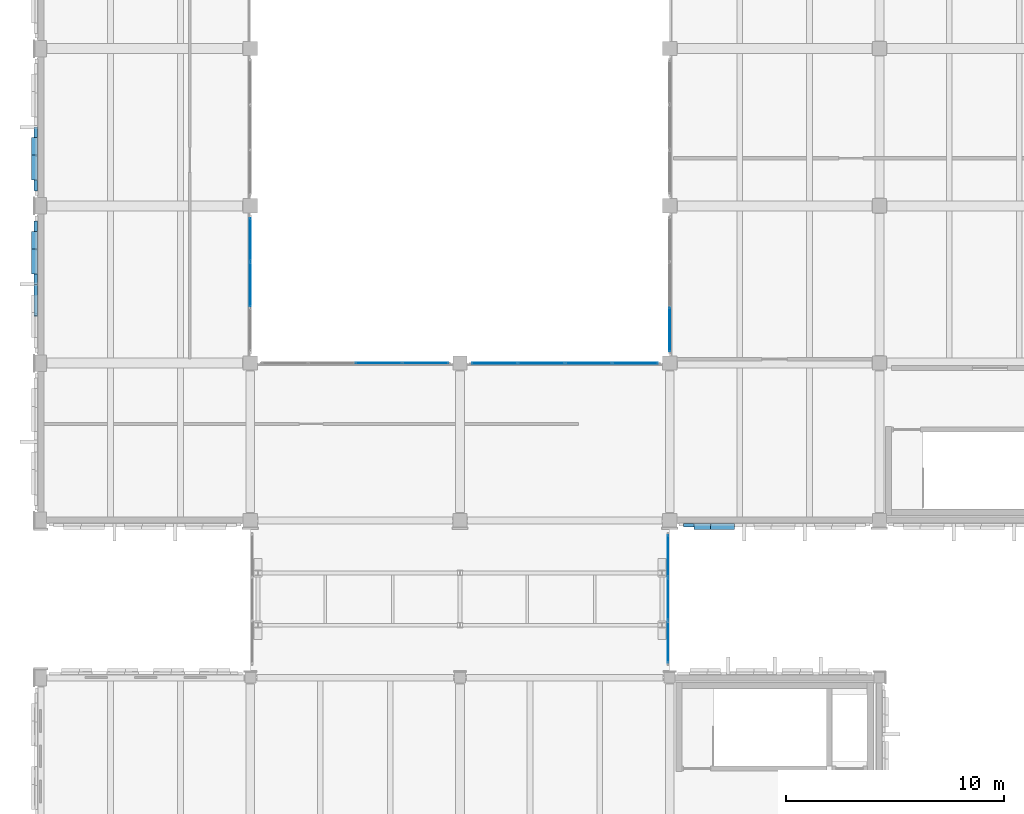
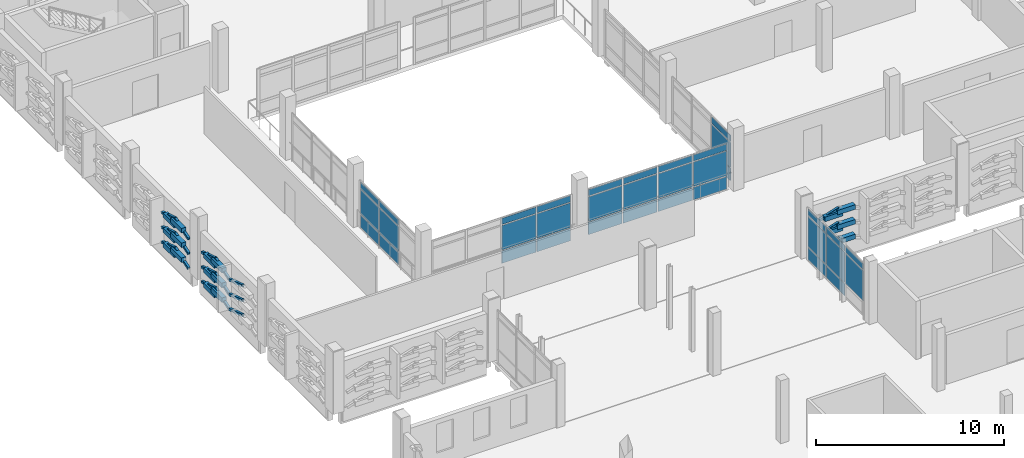
# One storey, part 39 of 72: 71 plates, 5 elements without a shape of their own.
"""IFC4 building model written with IfcOpenShell, lengths in metres."""

from ifc_helpers import new_model, si_unit, direction, frame, origin, origin_2d, place, context, subcontext, project, spatial, rectangle, hollow_rectangle, extrude, material, layer, layer_set, material_profile, profile_set, type_object, element, aggregate, save


model = new_model("IFC4")

# Units and contexts
model_context = context("Model", 3, precision=1e-05, world=origin(), true_north=direction((0.0, 1.0)))
body_context = subcontext(model_context, "Body", "Model", "MODEL_VIEW")
ifc_project = project(units=[si_unit("LENGTHUNIT", "METRE"), si_unit("AREAUNIT", "SQUARE_METRE"), si_unit("VOLUMEUNIT", "CUBIC_METRE"), si_unit("PLANEANGLEUNIT", "RADIAN"), si_unit("MASSUNIT", "GRAM", prefix="KILO")], contexts=[model_context])

# Site, building, storey
site_placement = place(None, origin())
site = spatial("IfcSite", under=ifc_project, at=site_placement, CompositionType="ELEMENT")
building_placement = place(site_placement, origin())
building = spatial("IfcBuilding", under=site, at=building_placement, Name="Asteropetra Specialist Clinic", CompositionType="ELEMENT")
storey_placement = place(building_placement, frame((0.0, 0.0, 12.580078125)))
storey = spatial("IfcBuildingStorey", under=building, at=storey_placement, Name="L03", CompositionType="ELEMENT", Elevation=12.580078125)

# Plates
ifc_material_1 = material(Name="Chevron emerald aluminium 6063-T6", Category="aluminium")
ifc_material_profile = material_profile(ifc_material_1, hollow_rectangle(XDim=0.159912109375, YDim=0.159912109375, WallThickness=0.008056640625, InnerFilletRadius=0.008056640625, OuterFilletRadius=0.01611328125, at=origin_2d()), Name="SHS 160x160x8.0")
ifc_profile_set = profile_set([ifc_material_profile], Name="Chevron emerald aluminium 6063-T6")
plate_type_1 = type_object("IfcPlateType", Name="CHV-RIB-160", PredefinedType="SHEET", material=ifc_profile_set)
for number, where, z_axis, x_axis, name in (
    (1, (29.465087890625, 69.3779296875, 0.059814453125), (0.952430080856, 0.0, 0.304757183805), (0.0, 1.0, 0.0), "Chevron Facade Screen Fin CVR-1269"),
    (2, (29.465087890625, 69.3779296875, 1.02001953125), (0.952479516829, 0.0, 0.304602642835), (0.0, 1.0, 0.0), "Chevron Facade Screen Fin CVR-1271"),
    (3, (29.465087890625, 69.3779296875, 1.97998046875), (0.952479516829, 0.0, 0.304602642835), (0.0, 1.0, 0.0), "Chevron Facade Screen Fin CVR-1273"),
):
    element("IfcPlate", number, at=place(storey_placement, frame(where, z_axis=z_axis, x_axis=x_axis)), inside=storey, type_object=plate_type_1, Name=name, PredefinedType="SHEET", context=body_context, shape_type="SweptSolid", body=[
        extrude(hollow_rectangle(XDim=0.159912109375, YDim=0.159912109375, WallThickness=0.008056640625, InnerFilletRadius=0.008056640625, OuterFilletRadius=0.01611328125, at=origin_2d()), origin(), (0.0, 0.0, 1.0), 1.43310546875),
    ])
plate_1_placement = place(storey_placement, frame((-0.221923828125, 83.284912109375, 0.059814453125), z_axis=(0.0, -0.952491984317, 0.304563654777), x_axis=(1.0, 0.0, 0.0)))
element("IfcPlate", 4, at=plate_1_placement, inside=storey, type_object=plate_type_1, Name="Chevron Facade Screen Fin CVR-1365", PredefinedType="SHEET", context=body_context, shape_type="SweptSolid", body=[
    extrude(hollow_rectangle(XDim=0.159912109375, YDim=0.159912109375, WallThickness=0.008056640625, InnerFilletRadius=0.008056640625, OuterFilletRadius=0.01611328125, at=origin_2d()), origin(), (0.0, 0.0, 1.0), 1.50390625),
])
plate_2_placement = place(storey_placement, frame((-0.221923828125, 81.8525390625, 0.517822265625), z_axis=(0.0, -0.952507040007, -0.304516565619), x_axis=(1.0, 0.0, 0.0)))
element("IfcPlate", 5, at=plate_2_placement, inside=storey, type_object=plate_type_1, Name="Chevron Facade Screen Fin CVR-1366", PredefinedType="SHEET", context=body_context, shape_type="SweptSolid", body=[
    extrude(hollow_rectangle(XDim=0.159912109375, YDim=0.159912109375, WallThickness=0.008056640625, InnerFilletRadius=0.008056640625, OuterFilletRadius=0.01611328125, at=origin_2d()), origin(), (0.0, 0.0, 1.0), 1.504150390625),
])
plate_3_placement = place(storey_placement, frame((-0.221923828125, 83.284912109375, 1.02001953125), z_axis=(0.0, -0.952491984317, 0.304563654777), x_axis=(1.0, 0.0, 0.0)))
element("IfcPlate", 6, at=plate_3_placement, inside=storey, type_object=plate_type_1, Name="Chevron Facade Screen Fin CVR-1367", PredefinedType="SHEET", context=body_context, shape_type="SweptSolid", body=[
    extrude(hollow_rectangle(XDim=0.159912109375, YDim=0.159912109375, WallThickness=0.008056640625, InnerFilletRadius=0.008056640625, OuterFilletRadius=0.01611328125, at=origin_2d()), origin(), (0.0, 0.0, 1.0), 1.50390625),
])
plate_4_placement = place(storey_placement, frame((-0.221923828125, 81.8525390625, 1.47802734375), z_axis=(0.0, -0.952507040007, -0.304516565619), x_axis=(1.0, 0.0, 0.0)))
element("IfcPlate", 7, at=plate_4_placement, inside=storey, type_object=plate_type_1, Name="Chevron Facade Screen Fin CVR-1368", PredefinedType="SHEET", context=body_context, shape_type="SweptSolid", body=[
    extrude(hollow_rectangle(XDim=0.159912109375, YDim=0.159912109375, WallThickness=0.008056640625, InnerFilletRadius=0.008056640625, OuterFilletRadius=0.01611328125, at=origin_2d()), origin(), (0.0, 0.0, 1.0), 1.504150390625),
])
plate_5_placement = place(storey_placement, frame((-0.221923828125, 83.284912109375, 1.97998046875), z_axis=(0.0, -0.952491984317, 0.304563654777), x_axis=(1.0, 0.0, 0.0)))
element("IfcPlate", 8, at=plate_5_placement, inside=storey, type_object=plate_type_1, Name="Chevron Facade Screen Fin CVR-1369", PredefinedType="SHEET", context=body_context, shape_type="SweptSolid", body=[
    extrude(hollow_rectangle(XDim=0.159912109375, YDim=0.159912109375, WallThickness=0.008056640625, InnerFilletRadius=0.008056640625, OuterFilletRadius=0.01611328125, at=origin_2d()), origin(), (0.0, 0.0, 1.0), 1.50390625),
])
plate_6_placement = place(storey_placement, frame((-0.221923828125, 81.8525390625, 2.43798828125), z_axis=(0.0, -0.952507040007, -0.304516565619), x_axis=(1.0, 0.0, 0.0)))
element("IfcPlate", 9, at=plate_6_placement, inside=storey, type_object=plate_type_1, Name="Chevron Facade Screen Fin CVR-1370", PredefinedType="SHEET", context=body_context, shape_type="SweptSolid", body=[
    extrude(hollow_rectangle(XDim=0.159912109375, YDim=0.159912109375, WallThickness=0.008056640625, InnerFilletRadius=0.008056640625, OuterFilletRadius=0.01611328125, at=origin_2d()), origin(), (0.0, 0.0, 1.0), 1.504150390625),
])
for number, where, z_axis, x_axis, name in (
    (10, (-0.221923828125, 80.3798828125, 0.059814453125), (0.0, -0.952491984317, 0.304563654777), (1.0, 0.0, 0.0), "Chevron Facade Screen Fin CVR-1371"),
    (11, (-0.221923828125, 80.3798828125, 1.02001953125), (0.0, -0.952491984317, 0.304563654777), (1.0, 0.0, 0.0), "Chevron Facade Screen Fin CVR-1373"),
    (12, (-0.221923828125, 80.3798828125, 1.97998046875), (0.0, -0.952491984317, 0.304563654777), (1.0, 0.0, 0.0), "Chevron Facade Screen Fin CVR-1375"),
):
    element("IfcPlate", number, at=place(storey_placement, frame(where, z_axis=z_axis, x_axis=x_axis)), inside=storey, type_object=plate_type_1, Name=name, PredefinedType="SHEET", context=body_context, shape_type="SweptSolid", body=[
        extrude(hollow_rectangle(XDim=0.159912109375, YDim=0.159912109375, WallThickness=0.008056640625, InnerFilletRadius=0.008056640625, OuterFilletRadius=0.01611328125, at=origin_2d()), origin(), (0.0, 0.0, 1.0), 1.50390625),
    ])
plate_7_placement = place(storey_placement, frame((-0.221923828125, 87.580078125, 0.059814453125), z_axis=(0.0, -0.952507040007, 0.304516565619), x_axis=(1.0, 0.0, 0.0)))
element("IfcPlate", 13, at=plate_7_placement, inside=storey, type_object=plate_type_1, Name="Chevron Facade Screen Fin CVR-1395", PredefinedType="SHEET", context=body_context, shape_type="SweptSolid", body=[
    extrude(hollow_rectangle(XDim=0.159912109375, YDim=0.159912109375, WallThickness=0.008056640625, InnerFilletRadius=0.008056640625, OuterFilletRadius=0.01611328125, at=origin_2d()), origin(), (0.0, 0.0, 1.0), 1.504150390625),
])
plate_8_placement = place(storey_placement, frame((-0.221923828125, 86.1474609375, 0.517822265625), z_axis=(0.0, -0.952491984317, -0.304563654777), x_axis=(1.0, 0.0, 0.0)))
element("IfcPlate", 14, at=plate_8_placement, inside=storey, type_object=plate_type_1, Name="Chevron Facade Screen Fin CVR-1396", PredefinedType="SHEET", context=body_context, shape_type="SweptSolid", body=[
    extrude(hollow_rectangle(XDim=0.159912109375, YDim=0.159912109375, WallThickness=0.008056640625, InnerFilletRadius=0.008056640625, OuterFilletRadius=0.01611328125, at=origin_2d()), origin(), (0.0, 0.0, 1.0), 1.50390625),
])
plate_9_placement = place(storey_placement, frame((-0.221923828125, 87.580078125, 1.02001953125), z_axis=(0.0, -0.952507040007, 0.304516565619), x_axis=(1.0, 0.0, 0.0)))
element("IfcPlate", 15, at=plate_9_placement, inside=storey, type_object=plate_type_1, Name="Chevron Facade Screen Fin CVR-1397", PredefinedType="SHEET", context=body_context, shape_type="SweptSolid", body=[
    extrude(hollow_rectangle(XDim=0.159912109375, YDim=0.159912109375, WallThickness=0.008056640625, InnerFilletRadius=0.008056640625, OuterFilletRadius=0.01611328125, at=origin_2d()), origin(), (0.0, 0.0, 1.0), 1.504150390625),
])
plate_10_placement = place(storey_placement, frame((-0.221923828125, 86.1474609375, 1.47802734375), z_axis=(0.0, -0.952491984317, -0.304563654777), x_axis=(1.0, 0.0, 0.0)))
element("IfcPlate", 16, at=plate_10_placement, inside=storey, type_object=plate_type_1, Name="Chevron Facade Screen Fin CVR-1398", PredefinedType="SHEET", context=body_context, shape_type="SweptSolid", body=[
    extrude(hollow_rectangle(XDim=0.159912109375, YDim=0.159912109375, WallThickness=0.008056640625, InnerFilletRadius=0.008056640625, OuterFilletRadius=0.01611328125, at=origin_2d()), origin(), (0.0, 0.0, 1.0), 1.50390625),
])
plate_11_placement = place(storey_placement, frame((-0.221923828125, 87.580078125, 1.97998046875), z_axis=(0.0, -0.952507040007, 0.304516565619), x_axis=(1.0, 0.0, 0.0)))
element("IfcPlate", 17, at=plate_11_placement, inside=storey, type_object=plate_type_1, Name="Chevron Facade Screen Fin CVR-1399", PredefinedType="SHEET", context=body_context, shape_type="SweptSolid", body=[
    extrude(hollow_rectangle(XDim=0.159912109375, YDim=0.159912109375, WallThickness=0.008056640625, InnerFilletRadius=0.008056640625, OuterFilletRadius=0.01611328125, at=origin_2d()), origin(), (0.0, 0.0, 1.0), 1.504150390625),
])
plate_12_placement = place(storey_placement, frame((-0.221923828125, 86.1474609375, 2.43798828125), z_axis=(0.0, -0.952491984317, -0.304563654777), x_axis=(1.0, 0.0, 0.0)))
element("IfcPlate", 18, at=plate_12_placement, inside=storey, type_object=plate_type_1, Name="Chevron Facade Screen Fin CVR-1400", PredefinedType="SHEET", context=body_context, shape_type="SweptSolid", body=[
    extrude(hollow_rectangle(XDim=0.159912109375, YDim=0.159912109375, WallThickness=0.008056640625, InnerFilletRadius=0.008056640625, OuterFilletRadius=0.01611328125, at=origin_2d()), origin(), (0.0, 0.0, 1.0), 1.50390625),
])

# Curtain wall, plates
ifc_material_2 = material(Name="Aluminium and low-E glass", Category="aluminium")
ifc_layer_1 = layer(ifc_material_2, 0.135009765625)
ifc_layer_set_1 = layer_set([ifc_layer_1], Name="Aluminium and low-E glass")
curtain_wall_type_1 = type_object("IfcCurtainWallType", Name="CW-SYS-09", PredefinedType="USERDEFINED", material=ifc_layer_set_1)
curtain_wall_1_placement = place(storey_placement, origin())
curtain_wall_1 = element("IfcCurtainWall", 19, at=curtain_wall_1_placement, inside=storey, type_object=curtain_wall_type_1, Name="Curtain Wall CW-108", ObjectType="STICK GLAZED COLONNADE", PredefinedType="USERDEFINED")
ifc_material_3 = material(Name="Low-E double glazing", Category="glass")
ifc_layer_2 = layer(ifc_material_3, 0.028076171875)
ifc_layer_set_2 = layer_set([ifc_layer_2], Name="Low-E double glazing")
plate_type_2 = type_object("IfcPlateType", Name="CWP-GLZ-28", PredefinedType="CURTAIN_PANEL", material=ifc_layer_set_2)
plate_13_placement = place(storey_placement, frame((28.719970703125, 67.974609375, 0.074951171875), z_axis=(0.0, 0.0, 1.0), x_axis=(0.0, -1.0, 0.0)))
plate_13 = element("IfcPlate", 20, at=plate_13_placement, type_object=plate_type_2, Name="CW-108 panel 1.1", PredefinedType="CURTAIN_PANEL", context=body_context, shape_type="SweptSolid", body=[
    extrude(rectangle(XDim=1.880859375, YDim=0.028076171875, at=origin_2d()), origin(), (0.0, 0.0, 1.0), 0.78759765625),
])
plate_14_placement = place(storey_placement, frame((28.719970703125, 67.974609375, 0.9375), z_axis=(0.0, 0.0, 1.0), x_axis=(0.0, -1.0, 0.0)))
plate_14 = element("IfcPlate", 21, at=plate_14_placement, type_object=plate_type_2, Name="CW-108 panel 1.2", PredefinedType="CURTAIN_PANEL", context=body_context, shape_type="SweptSolid", body=[
    extrude(rectangle(XDim=1.880859375, YDim=0.028076171875, at=origin_2d()), origin(), (0.0, 0.0, 1.0), 1.955078125),
])
plate_15_placement = place(storey_placement, frame((28.719970703125, 67.974609375, 2.96728515625), z_axis=(0.0, 0.0, 1.0), x_axis=(0.0, -1.0, 0.0)))
plate_15 = element("IfcPlate", 22, at=plate_15_placement, type_object=plate_type_2, Name="CW-108 panel 1.3", PredefinedType="CURTAIN_PANEL", context=body_context, shape_type="SweptSolid", body=[
    extrude(rectangle(XDim=1.880859375, YDim=0.028076171875, at=origin_2d()), origin(), (0.0, 0.0, 1.0), 0.387451171875),
])
plate_16_placement = place(storey_placement, frame((28.719970703125, 66.0, 0.074951171875), z_axis=(0.0, 0.0, 1.0), x_axis=(0.0, -1.0, 0.0)))
plate_16 = element("IfcPlate", 23, at=plate_16_placement, type_object=plate_type_2, Name="CW-108 panel 2.1", PredefinedType="CURTAIN_PANEL", context=body_context, shape_type="SweptSolid", body=[
    extrude(rectangle(XDim=1.918212890625, YDim=0.028076171875, at=origin_2d()), origin(), (0.0, 0.0, 1.0), 0.78759765625),
])
plate_17_placement = place(storey_placement, frame((28.719970703125, 66.0, 0.9375), z_axis=(0.0, 0.0, 1.0), x_axis=(0.0, -1.0, 0.0)))
plate_17 = element("IfcPlate", 24, at=plate_17_placement, type_object=plate_type_2, Name="CW-108 panel 2.2", PredefinedType="CURTAIN_PANEL", context=body_context, shape_type="SweptSolid", body=[
    extrude(rectangle(XDim=1.918212890625, YDim=0.028076171875, at=origin_2d()), origin(), (0.0, 0.0, 1.0), 1.955078125),
])
plate_18_placement = place(storey_placement, frame((28.719970703125, 66.0, 2.96728515625), z_axis=(0.0, 0.0, 1.0), x_axis=(0.0, -1.0, 0.0)))
plate_18 = element("IfcPlate", 25, at=plate_18_placement, type_object=plate_type_2, Name="CW-108 panel 2.3", PredefinedType="CURTAIN_PANEL", context=body_context, shape_type="SweptSolid", body=[
    extrude(rectangle(XDim=1.918212890625, YDim=0.028076171875, at=origin_2d()), origin(), (0.0, 0.0, 1.0), 0.387451171875),
])
plate_19_placement = place(storey_placement, frame((28.719970703125, 64.025390625, 0.9375), z_axis=(0.0, 0.0, 1.0), x_axis=(0.0, -1.0, 0.0)))
plate_19 = element("IfcPlate", 26, at=plate_19_placement, type_object=plate_type_2, Name="CW-108 panel 3.2", PredefinedType="CURTAIN_PANEL", context=body_context, shape_type="SweptSolid", body=[
    extrude(rectangle(XDim=1.880859375, YDim=0.028076171875, at=origin_2d()), origin(), (0.0, 0.0, 1.0), 1.955078125),
])
plate_20_placement = place(storey_placement, frame((28.719970703125, 64.025390625, 2.96728515625), z_axis=(0.0, 0.0, 1.0), x_axis=(0.0, -1.0, 0.0)))
plate_20 = element("IfcPlate", 27, at=plate_20_placement, type_object=plate_type_2, Name="CW-108 panel 3.3", PredefinedType="CURTAIN_PANEL", context=body_context, shape_type="SweptSolid", body=[
    extrude(rectangle(XDim=1.880859375, YDim=0.028076171875, at=origin_2d()), origin(), (0.0, 0.0, 1.0), 0.387451171875),
])
aggregate(curtain_wall_1, [plate_13, plate_14, plate_15, plate_16, plate_17, plate_18, plate_19, plate_20])

ifc_material_4 = material(Name="Aluminium and low-E glass", Category="aluminium")
ifc_layer_3 = layer(ifc_material_4, 0.14990234375)
ifc_layer_set_3 = layer_set([ifc_layer_3], Name="Aluminium and low-E glass")
curtain_wall_type_2 = type_object("IfcCurtainWallType", Name="CW-SYS-02", PredefinedType="USERDEFINED", material=ifc_layer_set_3)
curtain_wall_2_placement = place(storey_placement, origin())
curtain_wall_2 = element("IfcCurtainWall", 28, at=curtain_wall_2_placement, inside=storey, type_object=curtain_wall_type_2, Name="Curtain Wall CW-041", ObjectType="UNITISED CURTAIN WALL", PredefinedType="USERDEFINED")
ifc_material_5 = material(Name="Low-E acoustic double glazing", Category="glass")
ifc_layer_4 = layer(ifc_material_5, 0.031982421875)
ifc_layer_set_4 = layer_set([ifc_layer_4], Name="Low-E acoustic double glazing")
plate_type_3 = type_object("IfcPlateType", Name="CWP-GLZ-32", PredefinedType="CURTAIN_PANEL", material=ifc_layer_set_4)
plate_21_placement = place(storey_placement, frame((15.478759765625, 76.800048828125, 0.059814453125), z_axis=(0.0, 0.0, 1.0), x_axis=(1.0, 0.0, 0.0)))
plate_21 = element("IfcPlate", 29, at=plate_21_placement, type_object=plate_type_3, Name="CW-041 panel 3.1", PredefinedType="CURTAIN_PANEL", context=body_context, shape_type="SweptSolid", body=[
    extrude(rectangle(XDim=2.097412109375, YDim=0.031982421875, at=origin_2d()), origin(), (0.0, 0.0, 1.0), 0.81005859375),
])
plate_22_placement = place(storey_placement, frame((15.478759765625, 76.800048828125, 0.9296875), z_axis=(0.0, 0.0, 1.0), x_axis=(1.0, 0.0, 0.0)))
plate_22 = element("IfcPlate", 30, at=plate_22_placement, type_object=plate_type_3, Name="CW-041 panel 3.2", PredefinedType="CURTAIN_PANEL", context=body_context, shape_type="SweptSolid", body=[
    extrude(rectangle(XDim=2.097412109375, YDim=0.031982421875, at=origin_2d()), origin(), (0.0, 0.0, 1.0), 1.590087890625),
])
plate_23_placement = place(storey_placement, frame((15.478759765625, 76.800048828125, 2.580078125), z_axis=(0.0, 0.0, 1.0), x_axis=(1.0, 0.0, 0.0)))
plate_23 = element("IfcPlate", 31, at=plate_23_placement, type_object=plate_type_3, Name="CW-041 panel 3.3", PredefinedType="CURTAIN_PANEL", context=body_context, shape_type="SweptSolid", body=[
    extrude(rectangle(XDim=2.097412109375, YDim=0.031982421875, at=origin_2d()), origin(), (0.0, 0.0, 1.0), 0.409912109375),
])
plate_24_placement = place(storey_placement, frame((17.621337890625, 76.800048828125, 0.059814453125), z_axis=(0.0, 0.0, 1.0), x_axis=(1.0, 0.0, 0.0)))
plate_24 = element("IfcPlate", 32, at=plate_24_placement, type_object=plate_type_3, Name="CW-041 panel 4.1", PredefinedType="CURTAIN_PANEL", context=body_context, shape_type="SweptSolid", body=[
    extrude(rectangle(XDim=2.0673828125, YDim=0.031982421875, at=origin_2d()), origin(), (0.0, 0.0, 1.0), 0.81005859375),
])
plate_25_placement = place(storey_placement, frame((17.621337890625, 76.800048828125, 0.9296875), z_axis=(0.0, 0.0, 1.0), x_axis=(1.0, 0.0, 0.0)))
plate_25 = element("IfcPlate", 33, at=plate_25_placement, type_object=plate_type_3, Name="CW-041 panel 4.2", PredefinedType="CURTAIN_PANEL", context=body_context, shape_type="SweptSolid", body=[
    extrude(rectangle(XDim=2.0673828125, YDim=0.031982421875, at=origin_2d()), origin(), (0.0, 0.0, 1.0), 1.590087890625),
])
plate_26_placement = place(storey_placement, frame((17.621337890625, 76.800048828125, 2.580078125), z_axis=(0.0, 0.0, 1.0), x_axis=(1.0, 0.0, 0.0)))
plate_26 = element("IfcPlate", 34, at=plate_26_placement, type_object=plate_type_3, Name="CW-041 panel 4.3", PredefinedType="CURTAIN_PANEL", context=body_context, shape_type="SweptSolid", body=[
    extrude(rectangle(XDim=2.0673828125, YDim=0.031982421875, at=origin_2d()), origin(), (0.0, 0.0, 1.0), 0.409912109375),
])
aggregate(curtain_wall_2, [plate_21, plate_22, plate_23, plate_24, plate_25, plate_26])

ifc_material_6 = material(Name="Aluminium and low-E glass", Category="aluminium")
ifc_layer_5 = layer(ifc_material_6, 0.179931640625)
ifc_layer_set_5 = layer_set([ifc_layer_5], Name="Aluminium and low-E glass")
curtain_wall_type_3 = type_object("IfcCurtainWallType", Name="CW-SYS-04", PredefinedType="USERDEFINED", material=ifc_layer_set_5)
curtain_wall_3_placement = place(storey_placement, origin())
curtain_wall_3 = element("IfcCurtainWall", 35, at=curtain_wall_3_placement, inside=storey, type_object=curtain_wall_type_3, Name="Curtain Wall CW-045", ObjectType="UNITISED CURTAIN WALL", PredefinedType="USERDEFINED")
plate_27_placement = place(storey_placement, frame((9.60009765625, 82.4580078125, 0.074951171875), z_axis=(0.0, 0.0, 1.0), x_axis=(0.0, -1.0, 0.0)))
plate_27 = element("IfcPlate", 36, at=plate_27_placement, type_object=plate_type_3, Name="CW-045 panel 1.1", PredefinedType="CURTAIN_PANEL", context=body_context, shape_type="SweptSolid", body=[
    extrude(rectangle(XDim=1.964111328125, YDim=0.031982421875, at=origin_2d()), origin(), (0.0, 0.0, 1.0), 0.78759765625),
])
plate_28_placement = place(storey_placement, frame((9.60009765625, 82.4580078125, 0.9375), z_axis=(0.0, 0.0, 1.0), x_axis=(0.0, -1.0, 0.0)))
plate_28 = element("IfcPlate", 37, at=plate_28_placement, type_object=plate_type_3, Name="CW-045 panel 1.2", PredefinedType="CURTAIN_PANEL", context=body_context, shape_type="SweptSolid", body=[
    extrude(rectangle(XDim=1.964111328125, YDim=0.031982421875, at=origin_2d()), origin(), (0.0, 0.0, 1.0), 1.60498046875),
])
plate_29_placement = place(storey_placement, frame((9.60009765625, 82.4580078125, 2.61767578125), z_axis=(0.0, 0.0, 1.0), x_axis=(0.0, -1.0, 0.0)))
plate_29 = element("IfcPlate", 38, at=plate_29_placement, type_object=plate_type_3, Name="CW-045 panel 1.3", PredefinedType="CURTAIN_PANEL", context=body_context, shape_type="SweptSolid", body=[
    extrude(rectangle(XDim=1.964111328125, YDim=0.031982421875, at=origin_2d()), origin(), (0.0, 0.0, 1.0), 0.387451171875),
])
plate_30_placement = place(storey_placement, frame((9.60009765625, 80.39990234375, 0.074951171875), z_axis=(0.0, 0.0, 1.0), x_axis=(0.0, -1.0, 0.0)))
plate_30 = element("IfcPlate", 39, at=plate_30_placement, type_object=plate_type_3, Name="CW-045 panel 2.1", PredefinedType="CURTAIN_PANEL", context=body_context, shape_type="SweptSolid", body=[
    extrude(rectangle(XDim=2.001708984375, YDim=0.031982421875, at=origin_2d()), origin(), (0.0, 0.0, 1.0), 0.78759765625),
])
plate_31_placement = place(storey_placement, frame((9.60009765625, 80.39990234375, 0.9375), z_axis=(0.0, 0.0, 1.0), x_axis=(0.0, -1.0, 0.0)))
plate_31 = element("IfcPlate", 40, at=plate_31_placement, type_object=plate_type_3, Name="CW-045 panel 2.2", PredefinedType="CURTAIN_PANEL", context=body_context, shape_type="SweptSolid", body=[
    extrude(rectangle(XDim=2.001708984375, YDim=0.031982421875, at=origin_2d()), origin(), (0.0, 0.0, 1.0), 1.60498046875),
])
plate_32_placement = place(storey_placement, frame((9.60009765625, 80.39990234375, 2.61767578125), z_axis=(0.0, 0.0, 1.0), x_axis=(0.0, -1.0, 0.0)))
plate_32 = element("IfcPlate", 41, at=plate_32_placement, type_object=plate_type_3, Name="CW-045 panel 2.3", PredefinedType="CURTAIN_PANEL", context=body_context, shape_type="SweptSolid", body=[
    extrude(rectangle(XDim=2.001708984375, YDim=0.031982421875, at=origin_2d()), origin(), (0.0, 0.0, 1.0), 0.387451171875),
])
aggregate(curtain_wall_3, [plate_27, plate_28, plate_29, plate_30, plate_31, plate_32])

ifc_material_7 = material(Name="Aluminium and low-E glass", Category="aluminium")
ifc_layer_6 = layer(ifc_material_7, 0.14990234375)
ifc_layer_set_6 = layer_set([ifc_layer_6], Name="Aluminium and low-E glass")
curtain_wall_type_4 = type_object("IfcCurtainWallType", Name="CW-SYS-05", PredefinedType="USERDEFINED", material=ifc_layer_set_6)
curtain_wall_4_placement = place(storey_placement, origin())
curtain_wall_4 = element("IfcCurtainWall", 42, at=curtain_wall_4_placement, inside=storey, type_object=curtain_wall_type_4, Name="Curtain Wall CW-046", ObjectType="UNITISED CURTAIN WALL", PredefinedType="USERDEFINED")
ifc_material_8 = material(Name="Solar-control triple glazing", Category="glass")
ifc_layer_7 = layer(ifc_material_8, 0.035888671875)
ifc_layer_set_7 = layer_set([ifc_layer_7], Name="Solar-control triple glazing")
plate_type_4 = type_object("IfcPlateType", Name="CWP-GLZ-36", PredefinedType="CURTAIN_PANEL", material=ifc_layer_set_7)
plate_33_placement = place(storey_placement, frame((28.800048828125, 78.339599609375, 0.06494140625), z_axis=(0.0, 0.0, 1.0), x_axis=(0.0, 1.0, 0.0)))
plate_33 = element("IfcPlate", 43, at=plate_33_placement, type_object=plate_type_4, Name="CW-046 panel 1.1", PredefinedType="CURTAIN_PANEL", context=body_context, shape_type="SweptSolid", body=[
    extrude(rectangle(XDim=1.979248046875, YDim=0.035888671875, at=origin_2d()), origin(), (0.0, 0.0, 1.0), 0.802490234375),
])
plate_34_placement = place(storey_placement, frame((28.800048828125, 78.339599609375, 0.9326171875), z_axis=(0.0, 0.0, 1.0), x_axis=(0.0, 1.0, 0.0)))
plate_34 = element("IfcPlate", 44, at=plate_34_placement, type_object=plate_type_4, Name="CW-046 panel 1.2", PredefinedType="CURTAIN_PANEL", context=body_context, shape_type="SweptSolid", body=[
    extrude(rectangle(XDim=1.979248046875, YDim=0.035888671875, at=origin_2d()), origin(), (0.0, 0.0, 1.0), 1.614990234375),
])
plate_35_placement = place(storey_placement, frame((28.800048828125, 78.339599609375, 2.6123046875), z_axis=(0.0, 0.0, 1.0), x_axis=(0.0, 1.0, 0.0)))
plate_35 = element("IfcPlate", 45, at=plate_35_placement, type_object=plate_type_4, Name="CW-046 panel 1.3", PredefinedType="CURTAIN_PANEL", context=body_context, shape_type="SweptSolid", body=[
    extrude(rectangle(XDim=1.979248046875, YDim=0.035888671875, at=origin_2d()), origin(), (0.0, 0.0, 1.0), 0.402587890625),
])
aggregate(curtain_wall_4, [plate_33, plate_34, plate_35])

ifc_material_9 = material(Name="Aluminium and low-E glass", Category="aluminium")
ifc_layer_8 = layer(ifc_material_9, 0.135009765625)
ifc_layer_set_8 = layer_set([ifc_layer_8], Name="Aluminium and low-E glass")
curtain_wall_type_5 = type_object("IfcCurtainWallType", Name="CW-SYS-03", PredefinedType="USERDEFINED", material=ifc_layer_set_8)
curtain_wall_5_placement = place(storey_placement, origin())
curtain_wall_5 = element("IfcCurtainWall", 46, at=curtain_wall_5_placement, inside=storey, type_object=curtain_wall_type_5, Name="Curtain Wall CW-043", ObjectType="UNITISED CURTAIN WALL", PredefinedType="USERDEFINED")
ifc_material_10 = material(Name="Laminated skylight glazing", Category="glass")
ifc_layer_9 = layer(ifc_material_10, 0.0400390625)
ifc_layer_set_9 = layer_set([ifc_layer_9], Name="Laminated skylight glazing")
plate_type_5 = type_object("IfcPlateType", Name="CWP-GLZ-40", PredefinedType="CURTAIN_PANEL", material=ifc_layer_set_9)
plate_36_placement = place(storey_placement, frame((20.780029296875, 76.800048828125, 0.06494140625), z_axis=(0.0, 0.0, 1.0), x_axis=(1.0, 0.0, 0.0)))
plate_36 = element("IfcPlate", 47, at=plate_36_placement, type_object=plate_type_5, Name="CW-043 panel 1.1", PredefinedType="CURTAIN_PANEL", context=body_context, shape_type="SweptSolid", body=[
    extrude(rectangle(XDim=2.06005859375, YDim=0.0400390625, at=origin_2d()), origin(), (0.0, 0.0, 1.0), 0.802490234375),
])
plate_37_placement = place(storey_placement, frame((20.780029296875, 76.800048828125, 0.932373046875), z_axis=(0.0, 0.0, 1.0), x_axis=(1.0, 0.0, 0.0)))
plate_37 = element("IfcPlate", 48, at=plate_37_placement, type_object=plate_type_5, Name="CW-043 panel 1.2", PredefinedType="CURTAIN_PANEL", context=body_context, shape_type="SweptSolid", body=[
    extrude(rectangle(XDim=2.06005859375, YDim=0.0400390625, at=origin_2d()), origin(), (0.0, 0.0, 1.0), 1.5849609375),
])
plate_38_placement = place(storey_placement, frame((20.780029296875, 76.800048828125, 2.58251953125), z_axis=(0.0, 0.0, 1.0), x_axis=(1.0, 0.0, 0.0)))
plate_38 = element("IfcPlate", 49, at=plate_38_placement, type_object=plate_type_5, Name="CW-043 panel 1.3", PredefinedType="CURTAIN_PANEL", context=body_context, shape_type="SweptSolid", body=[
    extrude(rectangle(XDim=2.06005859375, YDim=0.0400390625, at=origin_2d()), origin(), (0.0, 0.0, 1.0), 0.402587890625),
])
plate_39_placement = place(storey_placement, frame((22.921142578125, 76.800048828125, 0.06494140625), z_axis=(0.0, 0.0, 1.0), x_axis=(1.0, 0.0, 0.0)))
plate_39 = element("IfcPlate", 50, at=plate_39_placement, type_object=plate_type_5, Name="CW-043 panel 2.1", PredefinedType="CURTAIN_PANEL", context=body_context, shape_type="SweptSolid", body=[
    extrude(rectangle(XDim=2.092529296875, YDim=0.0400390625, at=origin_2d()), origin(), (0.0, 0.0, 1.0), 0.802490234375),
])
plate_40_placement = place(storey_placement, frame((22.921142578125, 76.800048828125, 0.932373046875), z_axis=(0.0, 0.0, 1.0), x_axis=(1.0, 0.0, 0.0)))
plate_40 = element("IfcPlate", 51, at=plate_40_placement, type_object=plate_type_5, Name="CW-043 panel 2.2", PredefinedType="CURTAIN_PANEL", context=body_context, shape_type="SweptSolid", body=[
    extrude(rectangle(XDim=2.092529296875, YDim=0.0400390625, at=origin_2d()), origin(), (0.0, 0.0, 1.0), 1.5849609375),
])
plate_41_placement = place(storey_placement, frame((22.921142578125, 76.800048828125, 2.58251953125), z_axis=(0.0, 0.0, 1.0), x_axis=(1.0, 0.0, 0.0)))
plate_41 = element("IfcPlate", 52, at=plate_41_placement, type_object=plate_type_5, Name="CW-043 panel 2.3", PredefinedType="CURTAIN_PANEL", context=body_context, shape_type="SweptSolid", body=[
    extrude(rectangle(XDim=2.092529296875, YDim=0.0400390625, at=origin_2d()), origin(), (0.0, 0.0, 1.0), 0.402587890625),
])
plate_42_placement = place(storey_placement, frame((25.078857421875, 76.800048828125, 0.06494140625), z_axis=(0.0, 0.0, 1.0), x_axis=(1.0, 0.0, 0.0)))
plate_42 = element("IfcPlate", 53, at=plate_42_placement, type_object=plate_type_5, Name="CW-043 panel 3.1", PredefinedType="CURTAIN_PANEL", context=body_context, shape_type="SweptSolid", body=[
    extrude(rectangle(XDim=2.092529296875, YDim=0.0400390625, at=origin_2d()), origin(), (0.0, 0.0, 1.0), 0.802490234375),
])
plate_43_placement = place(storey_placement, frame((25.078857421875, 76.800048828125, 0.932373046875), z_axis=(0.0, 0.0, 1.0), x_axis=(1.0, 0.0, 0.0)))
plate_43 = element("IfcPlate", 54, at=plate_43_placement, type_object=plate_type_5, Name="CW-043 panel 3.2", PredefinedType="CURTAIN_PANEL", context=body_context, shape_type="SweptSolid", body=[
    extrude(rectangle(XDim=2.092529296875, YDim=0.0400390625, at=origin_2d()), origin(), (0.0, 0.0, 1.0), 1.5849609375),
])
plate_44_placement = place(storey_placement, frame((25.078857421875, 76.800048828125, 2.58251953125), z_axis=(0.0, 0.0, 1.0), x_axis=(1.0, 0.0, 0.0)))
plate_44 = element("IfcPlate", 55, at=plate_44_placement, type_object=plate_type_5, Name="CW-043 panel 3.3", PredefinedType="CURTAIN_PANEL", context=body_context, shape_type="SweptSolid", body=[
    extrude(rectangle(XDim=2.092529296875, YDim=0.0400390625, at=origin_2d()), origin(), (0.0, 0.0, 1.0), 0.402587890625),
])
plate_45_placement = place(storey_placement, frame((27.219970703125, 76.800048828125, 0.06494140625), z_axis=(0.0, 0.0, 1.0), x_axis=(1.0, 0.0, 0.0)))
plate_45 = element("IfcPlate", 56, at=plate_45_placement, type_object=plate_type_5, Name="CW-043 panel 4.1", PredefinedType="CURTAIN_PANEL", context=body_context, shape_type="SweptSolid", body=[
    extrude(rectangle(XDim=2.06005859375, YDim=0.0400390625, at=origin_2d()), origin(), (0.0, 0.0, 1.0), 0.802490234375),
])
plate_46_placement = place(storey_placement, frame((27.219970703125, 76.800048828125, 0.932373046875), z_axis=(0.0, 0.0, 1.0), x_axis=(1.0, 0.0, 0.0)))
plate_46 = element("IfcPlate", 57, at=plate_46_placement, type_object=plate_type_5, Name="CW-043 panel 4.2", PredefinedType="CURTAIN_PANEL", context=body_context, shape_type="SweptSolid", body=[
    extrude(rectangle(XDim=2.06005859375, YDim=0.0400390625, at=origin_2d()), origin(), (0.0, 0.0, 1.0), 1.5849609375),
])
plate_47_placement = place(storey_placement, frame((27.219970703125, 76.800048828125, 2.58251953125), z_axis=(0.0, 0.0, 1.0), x_axis=(1.0, 0.0, 0.0)))
plate_47 = element("IfcPlate", 58, at=plate_47_placement, type_object=plate_type_5, Name="CW-043 panel 4.3", PredefinedType="CURTAIN_PANEL", context=body_context, shape_type="SweptSolid", body=[
    extrude(rectangle(XDim=2.06005859375, YDim=0.0400390625, at=origin_2d()), origin(), (0.0, 0.0, 1.0), 0.402587890625),
])
aggregate(curtain_wall_5, [plate_36, plate_37, plate_38, plate_39, plate_40, plate_41, plate_42, plate_43, plate_44, plate_45, plate_46, plate_47])

# Plates
ifc_material_11 = material(Name="Aluminium 6063-T6", Category="aluminium")
ifc_layer_10 = layer(ifc_material_11, 0.139892578125)
ifc_layer_set_10 = layer_set([ifc_layer_10], Name="Aluminium 6063-T6")
plate_type_6 = type_object("IfcPlateType", Name="PLT-CHV-TILE", PredefinedType="SHEET", material=ifc_layer_set_10)
for number, where, z_axis, x_axis, name in (
    (59, (30.44775390625, 69.320068359375, 0.041015625), (0.0, 0.0, 1.0), (1.0, 0.0, 0.0), "Chevron Ceramic Panel CPT-0951"),
    (60, (31.212158203125, 69.320068359375, 0.20703125), (0.0, 0.0, 1.0), (1.0, 0.0, 0.0), "Chevron Ceramic Panel CPT-0952"),
    (61, (30.44775390625, 69.320068359375, 1.0009765625), (0.0, 0.0, 1.0), (1.0, 0.0, 0.0), "Chevron Ceramic Panel CPT-0953"),
    (62, (31.212158203125, 69.320068359375, 1.1669921875), (0.0, 0.0, 1.0), (1.0, 0.0, 0.0), "Chevron Ceramic Panel CPT-0954"),
    (63, (30.44775390625, 69.320068359375, 1.9609375), (0.0, 0.0, 1.0), (1.0, 0.0, 0.0), "Chevron Ceramic Panel CPT-0955"),
    (64, (31.212158203125, 69.320068359375, 2.126953125), (0.0, 0.0, 1.0), (1.0, 0.0, 0.0), "Chevron Ceramic Panel CPT-0956"),
):
    element("IfcPlate", number, at=place(storey_placement, frame(where, z_axis=z_axis, x_axis=x_axis)), inside=storey, type_object=plate_type_6, Name=name, PredefinedType="SHEET", context=body_context, shape_type="SweptSolid", body=[
        extrude(rectangle(XDim=1.092041015625, YDim=0.280029296875, at=origin_2d()), origin(), (0.0, 0.0, 1.0), 0.300048828125),
    ])
for number, where, z_axis, x_axis, name in (
    (65, (-0.280029296875, 82.253662109375, 0.04736328125), (0.0, 0.0, 1.0), (1.0, 0.0, 0.0), "Chevron Ceramic Panel CPT-1059"),
    (66, (-0.280029296875, 81.451416015625, 0.22119140625), (0.0, 0.0, 1.0), (1.0, 0.0, 0.0), "Chevron Ceramic Panel CPT-1060"),
    (67, (-0.280029296875, 82.253662109375, 1.00732421875), (0.0, 0.0, 1.0), (1.0, 0.0, 0.0), "Chevron Ceramic Panel CPT-1061"),
    (68, (-0.280029296875, 81.451416015625, 1.18115234375), (0.0, 0.0, 1.0), (1.0, 0.0, 0.0), "Chevron Ceramic Panel CPT-1062"),
    (69, (-0.280029296875, 82.253662109375, 1.96728515625), (0.0, 0.0, 1.0), (1.0, 0.0, 0.0), "Chevron Ceramic Panel CPT-1063"),
    (70, (-0.280029296875, 81.451416015625, 2.14111328125), (0.0, 0.0, 1.0), (1.0, 0.0, 0.0), "Chevron Ceramic Panel CPT-1064"),
    (71, (-0.280029296875, 86.548583984375, 0.04736328125), (0.0, 0.0, 1.0), (1.0, 0.0, 0.0), "Chevron Ceramic Panel CPT-1089"),
    (72, (-0.280029296875, 85.746337890625, 0.22119140625), (0.0, 0.0, 1.0), (1.0, 0.0, 0.0), "Chevron Ceramic Panel CPT-1090"),
    (73, (-0.280029296875, 86.548583984375, 1.00732421875), (0.0, 0.0, 1.0), (1.0, 0.0, 0.0), "Chevron Ceramic Panel CPT-1091"),
    (74, (-0.280029296875, 85.746337890625, 1.18115234375), (0.0, 0.0, 1.0), (1.0, 0.0, 0.0), "Chevron Ceramic Panel CPT-1092"),
    (75, (-0.280029296875, 86.548583984375, 1.96728515625), (0.0, 0.0, 1.0), (1.0, 0.0, 0.0), "Chevron Ceramic Panel CPT-1093"),
    (76, (-0.280029296875, 85.746337890625, 2.14111328125), (0.0, 0.0, 1.0), (1.0, 0.0, 0.0), "Chevron Ceramic Panel CPT-1094"),
):
    element("IfcPlate", number, at=place(storey_placement, frame(where, z_axis=z_axis, x_axis=x_axis)), inside=storey, type_object=plate_type_6, Name=name, PredefinedType="SHEET", context=body_context, shape_type="SweptSolid", body=[
        extrude(rectangle(XDim=0.280029296875, YDim=1.14599609375, at=origin_2d()), origin(), (0.0, 0.0, 1.0), 0.300048828125),
    ])

save(model, "model.ifc")
